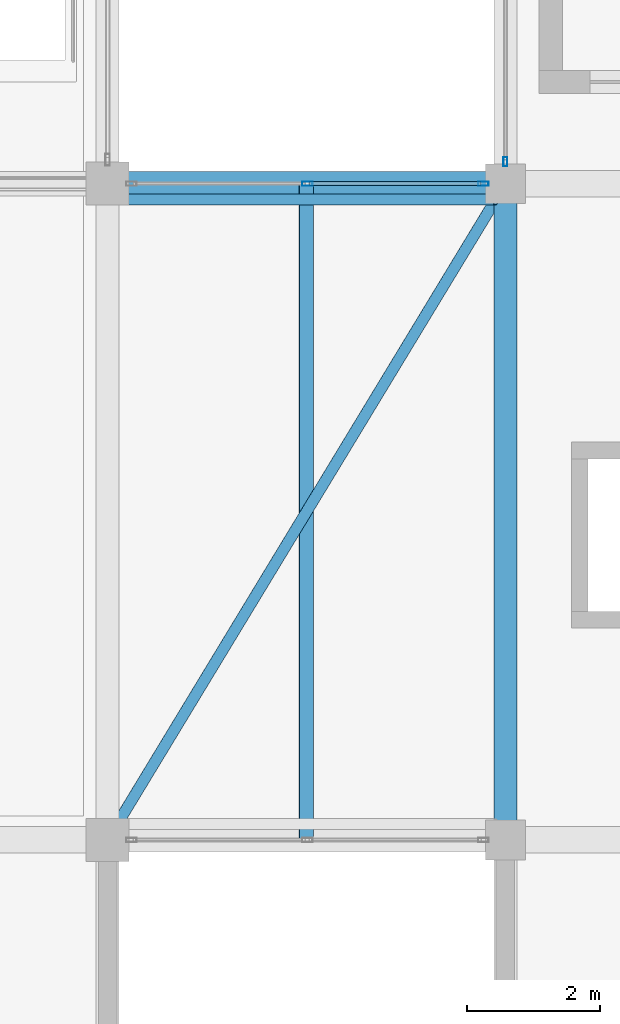
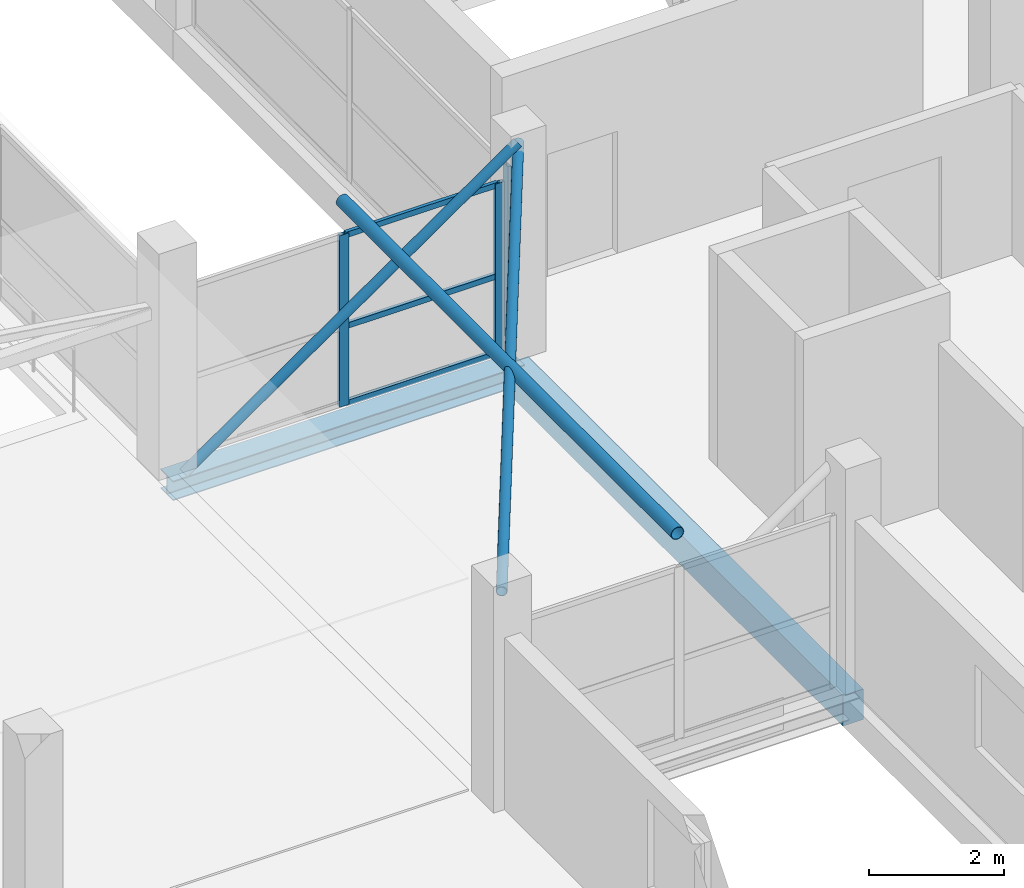
# One storey, part 17 of 66: 9 members, 2 beams, 2 elements without a shape of their own.
"""IFC4 building model written with IfcOpenShell, lengths in metres."""

from ifc_helpers import new_model, si_unit, direction, frame, origin, origin_2d, place, context, subcontext, project, spatial, rectangle, hollow_rectangle, hollow_circle, i_section, extrude, material, layer, layer_set, material_profile, profile_set, type_object, element, aggregate, save


model = new_model("IFC4")

# Units and contexts
model_context = context("Model", 3, precision=1e-05, world=origin(), true_north=direction((0.0, 1.0)))
body_context = subcontext(model_context, "Body", "Model", "MODEL_VIEW")
ifc_project = project(units=[si_unit("LENGTHUNIT", "METRE"), si_unit("AREAUNIT", "SQUARE_METRE"), si_unit("VOLUMEUNIT", "CUBIC_METRE"), si_unit("PLANEANGLEUNIT", "RADIAN"), si_unit("MASSUNIT", "GRAM", prefix="KILO")], contexts=[model_context])

# Site, building, storey
site_placement = place(None, origin())
site = spatial("IfcSite", under=ifc_project, at=site_placement, CompositionType="ELEMENT")
building_placement = place(site_placement, origin())
building = spatial("IfcBuilding", under=site, at=building_placement, Name="Sillaruma Civic Art Gallery", CompositionType="ELEMENT")
storey_placement = place(building_placement, frame((0.0, 0.0, 62.219970703125)))
storey = spatial("IfcBuildingStorey", under=building, at=storey_placement, Name="L12", CompositionType="ELEMENT", Elevation=62.219970703125)

# Beams
ifc_material_1 = material(Name="Structural Steel ASTM A992 Gr.50", Category="steel")
ifc_material_profile_1 = material_profile(ifc_material_1, i_section(OverallWidth=0.368896484375, OverallDepth=0.35595703125, WebThickness=0.01123046875, FlangeThickness=0.01806640625, FilletRadius=0.014892578125, at=origin_2d()), Name="W360x134")
ifc_profile_set_1 = profile_set([ifc_material_profile_1], Name="Structural Steel ASTM A992 Gr.50")
beam_type_1 = type_object("IfcBeamType", Name="BM-BRIDGE-W360x134", PredefinedType="SPANDREL", material=ifc_profile_set_1)
beam_1_placement = place(storey_placement, frame((92.0, 49.5, -0.387939453125), z_axis=(1.0, 0.0, 0.0), x_axis=(0.0, 1.0, 0.0)))
element("IfcBeam", 1, at=beam_1_placement, inside=storey, type_object=beam_type_1, Name="Sky-Bridge Steel Edge Girder (BRG-S:L12:N)", PredefinedType="SPANDREL", context=body_context, shape_type="SweptSolid", body=[
    extrude(i_section(OverallWidth=0.368896484375, OverallDepth=0.35595703125, WebThickness=0.01123046875, FlangeThickness=0.01806640625, FilletRadius=0.014892578125, at=origin_2d()), origin(), (0.0, 0.0, 1.0), 6.0),
])
ifc_material_2 = material(Name="Concrete H35 (35 MPa)", Category="concrete")
ifc_material_profile_2 = material_profile(ifc_material_2, rectangle(XDim=0.35009765625, YDim=0.550048828125, at=origin_2d()), Name="RCB350x550")
ifc_profile_set_2 = profile_set([ifc_material_profile_2], Name="Concrete H35 (35 MPa)")
beam_type_2 = type_object("IfcBeamType", Name="BM-SPANDREL-RCB350x550", PredefinedType="SPANDREL", material=ifc_profile_set_2)
beam_2_placement = place(storey_placement, frame((98.0, 39.60009765625, -0.5048828125), z_axis=(0.0, 1.0, 0.0), x_axis=(-1.0, 0.0, 0.0)))
element("IfcBeam", 2, at=beam_2_placement, inside=storey, type_object=beam_type_2, Name="Beam BS-04 (L11:L:5-6)", PredefinedType="SPANDREL", context=body_context, shape_type="SweptSolid", body=[
    extrude(rectangle(XDim=0.35009765625, YDim=0.550048828125, at=origin_2d()), origin(), (0.0, 0.0, 1.0), 9.89990234375),
])

# Members
ifc_material_3 = material(Name="Structural Steel ASTM A500 Gr.C", Category="steel")
ifc_material_profile_3 = material_profile(ifc_material_3, hollow_circle(Radius=0.084228515625, WallThickness=0.007080078125, at=origin_2d()), Name="CHS168.3x7.1")
ifc_profile_set_3 = profile_set([ifc_material_profile_3], Name="Structural Steel ASTM A500 Gr.C")
member_type_1 = type_object("IfcMemberType", Name="MEM-BRIDGE-BRACE", PredefinedType="BRACE", material=ifc_profile_set_3)
member_1_placement = place(storey_placement, frame((92.14990234375, 49.260009765625, -0.080078125), z_axis=(0.820576982008, 0.0, 0.571536015137), x_axis=(0.0, 1.0, 0.0)))
element("IfcMember", 3, at=member_1_placement, inside=storey, type_object=member_type_1, Name="Sky-Bridge Elevation Truss Web Brace (BRG-S:L12:N)", PredefinedType="BRACE", context=body_context, shape_type="SweptSolid", body=[
    extrude(hollow_circle(Radius=0.084228515625, WallThickness=0.007080078125, at=origin_2d()), origin(), (0.0, 0.0, 1.0), 6.946533203125),
])
member_2_placement = place(storey_placement, frame((92.0, 39.60009765625, 3.692138671875), z_axis=(0.518305455332, 0.855195565337, 0.0), x_axis=(-0.855195565337, 0.518305455332, 0.0)))
element("IfcMember", 4, at=member_2_placement, inside=storey, type_object=member_type_1, Name="Sky-Bridge Diagonal Plan Brace (BRG-S:L13)", PredefinedType="BRACE", context=body_context, shape_type="SweptSolid", body=[
    extrude(hollow_circle(Radius=0.084228515625, WallThickness=0.007080078125, at=origin_2d()), origin(), (0.0, 0.0, 1.0), 11.576171875),
])
ifc_material_profile_4 = material_profile(ifc_material_3, hollow_circle(Radius=0.109619140625, WallThickness=0.00830078125, at=origin_2d()), Name="CHS219.1x8.2")
ifc_profile_set_4 = profile_set([ifc_material_profile_4], Name="Structural Steel ASTM A500 Gr.C")
member_type_2 = type_object("IfcMemberType", Name="MEM-BRIDGE-STRUT", PredefinedType="STRUT", material=ifc_profile_set_4)
member_3_placement = place(storey_placement, frame((95.0, 39.60009765625, 3.692138671875), z_axis=(0.0, 1.0, 0.0), x_axis=(-1.0, 0.0, 0.0)))
element("IfcMember", 5, at=member_3_placement, inside=storey, type_object=member_type_2, Name="Sky-Bridge Transverse Strut (BRG-S:L13)", PredefinedType="STRUT", context=body_context, shape_type="SweptSolid", body=[
    extrude(hollow_circle(Radius=0.109619140625, WallThickness=0.00830078125, at=origin_2d()), origin(), (0.0, 0.0, 1.0), 9.89990234375),
])

# Curtain wall, member
ifc_material_4 = material(Name="Thermally Broken Extruded Aluminium 6063-T6", Category="aluminium")
ifc_layer_1 = layer(ifc_material_4, 0.139892578125, Name="Thermally Broken Extruded Aluminium 6063-T6")
ifc_layer_set_1 = layer_set([ifc_layer_1], Name="Thermally Broken Extruded Aluminium 6063-T6")
curtain_wall_type_1 = type_object("IfcCurtainWallType", Name="CW-UNI-98", PredefinedType="NOTDEFINED", material=ifc_layer_set_1)
curtain_wall_1_placement = place(storey_placement, origin())
curtain_wall_1 = element("IfcCurtainWall", 6, at=curtain_wall_1_placement, inside=storey, type_object=curtain_wall_type_1, Name="Unitised Curtain Wall CW-98 (CW-L12-EBW-4)", PredefinedType="NOTDEFINED")
ifc_material_profile_5 = material_profile(ifc_material_4, hollow_rectangle(XDim=0.06005859375, YDim=0.139892578125, WallThickness=0.00341796875, at=origin_2d()), Name="CWM60x140")
ifc_profile_set_5 = profile_set([ifc_material_profile_5], Name="Thermally Broken Extruded Aluminium 6063-T6")
member_type_3 = type_object("IfcMemberType", Name="MEM-MUL-CWM60x140", PredefinedType="MULLION", material=ifc_profile_set_5)
member_4_placement = place(storey_placement, frame((98.0, 49.830078125, 0.0), z_axis=(0.0, 0.0, 1.0), x_axis=(-1.0, 0.0, 0.0)))
member_4 = element("IfcMember", 7, at=member_4_placement, type_object=member_type_3, Name="CW-98 mullion 1", PredefinedType="MULLION", context=body_context, shape_type="SweptSolid", body=[
    extrude(hollow_rectangle(XDim=0.06005859375, YDim=0.139892578125, WallThickness=0.00341796875, at=origin_2d()), origin(), (0.0, 0.0, 1.0), 3.10009765625),
])
aggregate(curtain_wall_1, [member_4])

# Curtain wall, members
ifc_layer_2 = layer(ifc_material_4, 0.159912109375, Name="Thermally Broken Extruded Aluminium 6063-T6")
ifc_layer_set_2 = layer_set([ifc_layer_2], Name="Thermally Broken Extruded Aluminium 6063-T6")
curtain_wall_type_2 = type_object("IfcCurtainWallType", Name="CW-UNI-104", PredefinedType="NOTDEFINED", material=ifc_layer_set_2)
curtain_wall_2_placement = place(storey_placement, origin())
curtain_wall_2 = element("IfcCurtainWall", 8, at=curtain_wall_2_placement, inside=storey, type_object=curtain_wall_type_2, Name="Unitised Curtain Wall CW-104 (CW-BRG-S-L12-N)", PredefinedType="NOTDEFINED")
ifc_material_profile_6 = material_profile(ifc_material_4, hollow_rectangle(XDim=0.06494140625, YDim=0.159912109375, WallThickness=0.00390625, at=origin_2d()), Name="CWM65x160")
ifc_profile_set_6 = profile_set([ifc_material_profile_6], Name="Thermally Broken Extruded Aluminium 6063-T6")
member_type_4 = type_object("IfcMemberType", Name="MEM-MUL-CWM65x160", PredefinedType="MULLION", material=ifc_profile_set_6)
member_5_placement = place(storey_placement, frame((95.012451171875, 49.5, 0.0), z_axis=(0.0, 0.0, 1.0), x_axis=(0.0, 1.0, 0.0)))
member_5 = element("IfcMember", 9, at=member_5_placement, type_object=member_type_4, Name="CW-104 mullion 2", PredefinedType="MULLION", context=body_context, shape_type="SweptSolid", body=[
    extrude(hollow_rectangle(XDim=0.06494140625, YDim=0.159912109375, WallThickness=0.00390625, at=origin_2d()), origin(), (0.0, 0.0, 1.0), 3.10009765625),
])
member_6_placement = place(storey_placement, frame((97.66748046875, 49.5, 0.0), z_axis=(0.0, 0.0, 1.0), x_axis=(0.0, 1.0, 0.0)))
member_6 = element("IfcMember", 10, at=member_6_placement, type_object=member_type_4, Name="CW-104 mullion 3", PredefinedType="MULLION", context=body_context, shape_type="SweptSolid", body=[
    extrude(hollow_rectangle(XDim=0.06494140625, YDim=0.159912109375, WallThickness=0.00390625, at=origin_2d()), origin(), (0.0, 0.0, 1.0), 3.10009765625),
])
ifc_material_profile_7 = material_profile(ifc_material_4, hollow_rectangle(XDim=0.06005859375, YDim=0.10009765625, WallThickness=0.003173828125, at=origin_2d()), Name="CWT60x100")
ifc_profile_set_7 = profile_set([ifc_material_profile_7], Name="Thermally Broken Extruded Aluminium 6063-T6")
member_type_5 = type_object("IfcMemberType", Name="MEM-TRN-CWT60x100", PredefinedType="USERDEFINED", material=ifc_profile_set_7)
member_7_placement = place(storey_placement, frame((95.044921875, 49.5, 0.030029296875), z_axis=(1.0, 0.0, 0.0), x_axis=(0.0, 1.0, 0.0)))
member_7 = element("IfcMember", 11, at=member_7_placement, type_object=member_type_5, Name="CW-104 transom 2.1", ObjectType="TRANSOM", PredefinedType="USERDEFINED", context=body_context, shape_type="SweptSolid", body=[
    extrude(hollow_rectangle(XDim=0.06005859375, YDim=0.10009765625, WallThickness=0.003173828125, at=origin_2d()), origin(), (0.0, 0.0, 1.0), 2.590087890625),
])
member_8_placement = place(storey_placement, frame((95.044921875, 49.5, 1.426025390625), z_axis=(1.0, 0.0, 0.0), x_axis=(0.0, 1.0, 0.0)))
member_8 = element("IfcMember", 12, at=member_8_placement, type_object=member_type_5, Name="CW-104 transom 2.2", ObjectType="TRANSOM", PredefinedType="USERDEFINED", context=body_context, shape_type="SweptSolid", body=[
    extrude(hollow_rectangle(XDim=0.06005859375, YDim=0.10009765625, WallThickness=0.003173828125, at=origin_2d()), origin(), (0.0, 0.0, 1.0), 2.590087890625),
])
member_9_placement = place(storey_placement, frame((95.044921875, 49.5, 3.070068359375), z_axis=(1.0, 0.0, 0.0), x_axis=(0.0, 1.0, 0.0)))
member_9 = element("IfcMember", 13, at=member_9_placement, type_object=member_type_5, Name="CW-104 transom 2.3", ObjectType="TRANSOM", PredefinedType="USERDEFINED", context=body_context, shape_type="SweptSolid", body=[
    extrude(hollow_rectangle(XDim=0.06005859375, YDim=0.10009765625, WallThickness=0.003173828125, at=origin_2d()), origin(), (0.0, 0.0, 1.0), 2.590087890625),
])
aggregate(curtain_wall_2, [member_5, member_6, member_7, member_8, member_9])

save(model, "model.ifc")
